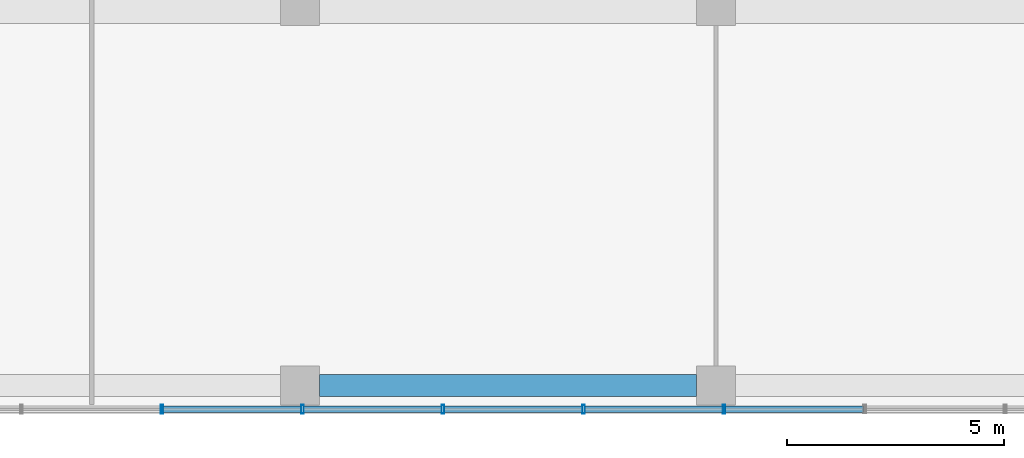
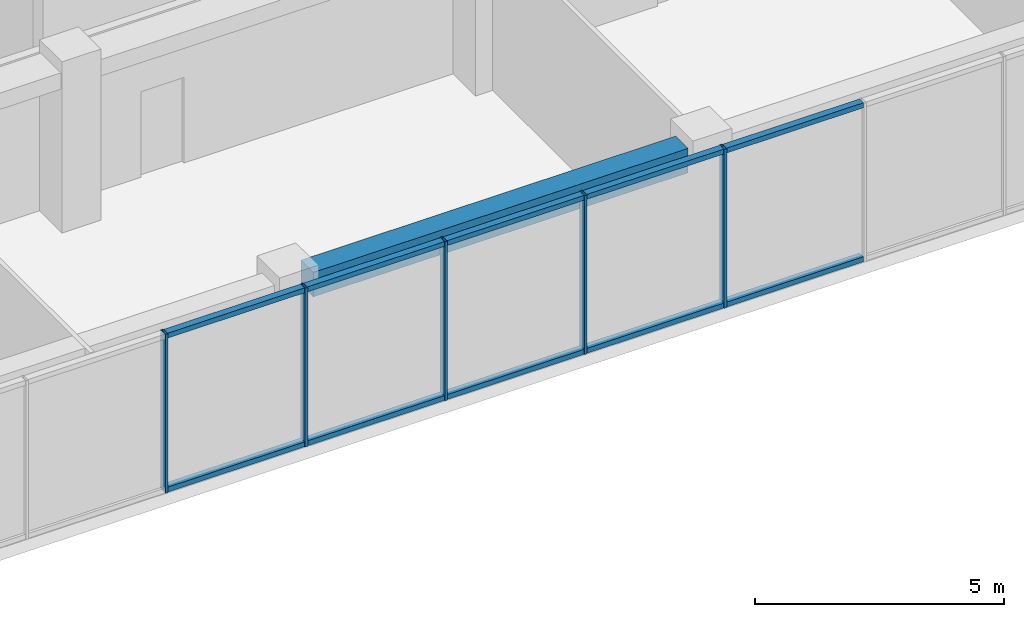
# One storey, part 4 of 38: 15 members, 1 beam, 1 element without a shape of its own.
"""IFC4 building model written with IfcOpenShell, lengths in metres."""

from ifc_helpers import new_model, si_unit, direction, frame, origin, origin_2d, place, context, subcontext, project, spatial, rectangle, hollow_rectangle, extrude, material, layer, layer_set, material_profile, profile_set, type_object, element, aggregate, save


model = new_model("IFC4")

# Units and contexts
model_context = context("Model", 3, precision=1e-05, world=origin(), true_north=direction((0.0, 1.0)))
body_context = subcontext(model_context, "Body", "Model", "MODEL_VIEW")
ifc_project = project(units=[si_unit("LENGTHUNIT", "METRE"), si_unit("AREAUNIT", "SQUARE_METRE"), si_unit("VOLUMEUNIT", "CUBIC_METRE"), si_unit("PLANEANGLEUNIT", "RADIAN"), si_unit("MASSUNIT", "GRAM", prefix="KILO")], contexts=[model_context])

# Site, building, storey
site_placement = place(None, origin())
site = spatial("IfcSite", under=ifc_project, at=site_placement, CompositionType="ELEMENT")
building_placement = place(site_placement, origin())
building = spatial("IfcBuilding", under=site, at=building_placement, Name="Nzadi Deep Aquarium and Research Tower", CompositionType="ELEMENT")
storey_placement = place(building_placement, frame((0.0, 0.0, 52.89990234375)))
storey = spatial("IfcBuildingStorey", under=building, at=storey_placement, Name="L10", CompositionType="ELEMENT", Elevation=52.89990234375)

# Curtain wall, members
ifc_material_1 = material(Name="Aluminium unitised frame", Category="aluminium")
ifc_layer = layer(ifc_material_1, 0.199951171875)
ifc_layer_set = layer_set([ifc_layer], Name="Aluminium unitised frame")
curtain_wall_type = type_object("IfcCurtainWallType", Name="Curtain wall Unitised 200", PredefinedType="NOTDEFINED", material=ifc_layer_set)
curtain_wall_placement = place(storey_placement, origin())
curtain_wall = element("IfcCurtainWall", 1, at=curtain_wall_placement, inside=storey, type_object=curtain_wall_type, Name="Unitised curtain wall blade A south L10", PredefinedType="NOTDEFINED")
ifc_material_2 = material(Name="Aluminium unitised frame", Category="aluminium")
ifc_material_profile_1 = material_profile(ifc_material_2, hollow_rectangle(XDim=0.199951171875, YDim=0.06005859375, WallThickness=0.0048828125, at=origin_2d()))
ifc_profile_set_1 = profile_set([ifc_material_profile_1], Name="Aluminium unitised frame")
member_type_1 = type_object("IfcMemberType", Name="Mullion 60x200 Unitised", PredefinedType="MULLION", material=ifc_profile_set_1)
member_1_placement = place(storey_placement, frame((16.0166015625, -0.10009765625, 0.0), z_axis=(0.0, 0.0, 1.0), x_axis=(0.0, 1.0, 0.0)))
member_1 = element("IfcMember", 2, at=member_1_placement, type_object=member_type_1, Name="CW036 mullion 6", PredefinedType="MULLION", context=body_context, shape_type="SweptSolid", body=[
    extrude(hollow_rectangle(XDim=0.199951171875, YDim=0.06005859375, WallThickness=0.0048828125, at=origin_2d()), origin(), (0.0, 0.0, 1.0), 3.900146484375),
])
member_2_placement = place(storey_placement, frame((19.260009765625, -0.10009765625, 0.0), z_axis=(0.0, 0.0, 1.0), x_axis=(0.0, 1.0, 0.0)))
member_2 = element("IfcMember", 3, at=member_2_placement, type_object=member_type_1, Name="CW036 mullion 7", PredefinedType="MULLION", context=body_context, shape_type="SweptSolid", body=[
    extrude(hollow_rectangle(XDim=0.199951171875, YDim=0.06005859375, WallThickness=0.0048828125, at=origin_2d()), origin(), (0.0, 0.0, 1.0), 3.900146484375),
])
member_3_placement = place(storey_placement, frame((22.50341796875, -0.10009765625, 0.0), z_axis=(0.0, 0.0, 1.0), x_axis=(0.0, 1.0, 0.0)))
member_3 = element("IfcMember", 4, at=member_3_placement, type_object=member_type_1, Name="CW036 mullion 8", PredefinedType="MULLION", context=body_context, shape_type="SweptSolid", body=[
    extrude(hollow_rectangle(XDim=0.199951171875, YDim=0.06005859375, WallThickness=0.0048828125, at=origin_2d()), origin(), (0.0, 0.0, 1.0), 3.900146484375),
])
member_4_placement = place(storey_placement, frame((25.74658203125, -0.10009765625, 0.0), z_axis=(0.0, 0.0, 1.0), x_axis=(0.0, 1.0, 0.0)))
member_4 = element("IfcMember", 5, at=member_4_placement, type_object=member_type_1, Name="CW036 mullion 9", PredefinedType="MULLION", context=body_context, shape_type="SweptSolid", body=[
    extrude(hollow_rectangle(XDim=0.199951171875, YDim=0.06005859375, WallThickness=0.0048828125, at=origin_2d()), origin(), (0.0, 0.0, 1.0), 3.900146484375),
])
member_5_placement = place(storey_placement, frame((28.989990234375, -0.10009765625, 0.0), z_axis=(0.0, 0.0, 1.0), x_axis=(0.0, 1.0, 0.0)))
member_5 = element("IfcMember", 6, at=member_5_placement, type_object=member_type_1, Name="CW036 mullion 10", PredefinedType="MULLION", context=body_context, shape_type="SweptSolid", body=[
    extrude(hollow_rectangle(XDim=0.199951171875, YDim=0.06005859375, WallThickness=0.0048828125, at=origin_2d()), origin(), (0.0, 0.0, 1.0), 3.900146484375),
])

# Beam
ifc_material_3 = material(Name="Concrete C35/45", Category="concrete")
ifc_material_profile_2 = material_profile(ifc_material_3, rectangle(XDim=0.5, YDim=0.60009765625, at=origin_2d()))
ifc_profile_set_2 = profile_set([ifc_material_profile_2], Name="Concrete C35/45")
beam_type = type_object("IfcBeamType", Name="RC 500x600", PredefinedType="BEAM", material=ifc_profile_set_2)
beam_placement = place(storey_placement, frame((19.64990234375, 0.449951171875, 3.60009765625), z_axis=(1.0, 0.0, 0.0), x_axis=(0.0, 1.0, 0.0)))
element("IfcBeam", 7, at=beam_placement, inside=storey, type_object=beam_type, Name="B-Z1-L10-L1-3", PredefinedType="BEAM", context=body_context, shape_type="SweptSolid", body=[
    extrude(rectangle(XDim=0.5, YDim=0.60009765625, at=origin_2d()), origin(), (0.0, 0.0, 1.0), 8.7001953125),
])

# Member
ifc_material_4 = material(Name="Aluminium unitised frame", Category="aluminium")
ifc_material_profile_3 = material_profile(ifc_material_4, hollow_rectangle(XDim=0.159912109375, YDim=0.1201171875, WallThickness=0.0048828125, at=origin_2d()))
ifc_profile_set_3 = profile_set([ifc_material_profile_3], Name="Aluminium unitised frame")
member_type_2 = type_object("IfcMemberType", Name="Transom 120x160 Unitised", PredefinedType="MULLION", material=ifc_profile_set_3)
member_6_placement = place(storey_placement, frame((16.046630859375, -0.10009765625, 0.06005859375), z_axis=(1.0, 0.0, 0.0), x_axis=(0.0, 1.0, 0.0)))
member_6 = element("IfcMember", 8, at=member_6_placement, type_object=member_type_2, Name="CW036 transom 6.1", PredefinedType="MULLION", context=body_context, shape_type="SweptSolid", body=[
    extrude(hollow_rectangle(XDim=0.159912109375, YDim=0.1201171875, WallThickness=0.0048828125, at=origin_2d()), origin(), (0.0, 0.0, 1.0), 3.183349609375),
])

member_7_placement = place(storey_placement, frame((16.046630859375, -0.10009765625, 3.840087890625), z_axis=(1.0, 0.0, 0.0), x_axis=(0.0, 1.0, 0.0)))
member_7 = element("IfcMember", 9, at=member_7_placement, type_object=member_type_2, Name="CW036 transom 6.2", PredefinedType="MULLION", context=body_context, shape_type="SweptSolid", body=[
    extrude(hollow_rectangle(XDim=0.159912109375, YDim=0.1201171875, WallThickness=0.0048828125, at=origin_2d()), origin(), (0.0, 0.0, 1.0), 3.183349609375),
])

member_8_placement = place(storey_placement, frame((19.2900390625, -0.10009765625, 0.06005859375), z_axis=(1.0, 0.0, 0.0), x_axis=(0.0, 1.0, 0.0)))
member_8 = element("IfcMember", 10, at=member_8_placement, type_object=member_type_2, Name="CW036 transom 7.1", PredefinedType="MULLION", context=body_context, shape_type="SweptSolid", body=[
    extrude(hollow_rectangle(XDim=0.159912109375, YDim=0.1201171875, WallThickness=0.0048828125, at=origin_2d()), origin(), (0.0, 0.0, 1.0), 3.183349609375),
])

member_9_placement = place(storey_placement, frame((19.2900390625, -0.10009765625, 3.840087890625), z_axis=(1.0, 0.0, 0.0), x_axis=(0.0, 1.0, 0.0)))
member_9 = element("IfcMember", 11, at=member_9_placement, type_object=member_type_2, Name="CW036 transom 7.2", PredefinedType="MULLION", context=body_context, shape_type="SweptSolid", body=[
    extrude(hollow_rectangle(XDim=0.159912109375, YDim=0.1201171875, WallThickness=0.0048828125, at=origin_2d()), origin(), (0.0, 0.0, 1.0), 3.183349609375),
])

member_10_placement = place(storey_placement, frame((22.533447265625, -0.10009765625, 0.06005859375), z_axis=(1.0, 0.0, 0.0), x_axis=(0.0, 1.0, 0.0)))
member_10 = element("IfcMember", 12, at=member_10_placement, type_object=member_type_2, Name="CW036 transom 8.1", PredefinedType="MULLION", context=body_context, shape_type="SweptSolid", body=[
    extrude(hollow_rectangle(XDim=0.159912109375, YDim=0.1201171875, WallThickness=0.0048828125, at=origin_2d()), origin(), (0.0, 0.0, 1.0), 3.18310546875),
])

member_11_placement = place(storey_placement, frame((22.533447265625, -0.10009765625, 3.840087890625), z_axis=(1.0, 0.0, 0.0), x_axis=(0.0, 1.0, 0.0)))
member_11 = element("IfcMember", 13, at=member_11_placement, type_object=member_type_2, Name="CW036 transom 8.2", PredefinedType="MULLION", context=body_context, shape_type="SweptSolid", body=[
    extrude(hollow_rectangle(XDim=0.159912109375, YDim=0.1201171875, WallThickness=0.0048828125, at=origin_2d()), origin(), (0.0, 0.0, 1.0), 3.18310546875),
])

member_12_placement = place(storey_placement, frame((25.776611328125, -0.10009765625, 0.06005859375), z_axis=(1.0, 0.0, 0.0), x_axis=(0.0, 1.0, 0.0)))
member_12 = element("IfcMember", 14, at=member_12_placement, type_object=member_type_2, Name="CW036 transom 9.1", PredefinedType="MULLION", context=body_context, shape_type="SweptSolid", body=[
    extrude(hollow_rectangle(XDim=0.159912109375, YDim=0.1201171875, WallThickness=0.0048828125, at=origin_2d()), origin(), (0.0, 0.0, 1.0), 3.183349609375),
])

member_13_placement = place(storey_placement, frame((25.776611328125, -0.10009765625, 3.840087890625), z_axis=(1.0, 0.0, 0.0), x_axis=(0.0, 1.0, 0.0)))
member_13 = element("IfcMember", 15, at=member_13_placement, type_object=member_type_2, Name="CW036 transom 9.2", PredefinedType="MULLION", context=body_context, shape_type="SweptSolid", body=[
    extrude(hollow_rectangle(XDim=0.159912109375, YDim=0.1201171875, WallThickness=0.0048828125, at=origin_2d()), origin(), (0.0, 0.0, 1.0), 3.183349609375),
])

member_14_placement = place(storey_placement, frame((29.02001953125, -0.10009765625, 0.06005859375), z_axis=(1.0, 0.0, 0.0), x_axis=(0.0, 1.0, 0.0)))
member_14 = element("IfcMember", 16, at=member_14_placement, type_object=member_type_2, Name="CW036 transom 10.1", PredefinedType="MULLION", context=body_context, shape_type="SweptSolid", body=[
    extrude(hollow_rectangle(XDim=0.159912109375, YDim=0.1201171875, WallThickness=0.0048828125, at=origin_2d()), origin(), (0.0, 0.0, 1.0), 3.183349609375),
])

member_15_placement = place(storey_placement, frame((29.02001953125, -0.10009765625, 3.840087890625), z_axis=(1.0, 0.0, 0.0), x_axis=(0.0, 1.0, 0.0)))
member_15 = element("IfcMember", 17, at=member_15_placement, type_object=member_type_2, Name="CW036 transom 10.2", PredefinedType="MULLION", context=body_context, shape_type="SweptSolid", body=[
    extrude(hollow_rectangle(XDim=0.159912109375, YDim=0.1201171875, WallThickness=0.0048828125, at=origin_2d()), origin(), (0.0, 0.0, 1.0), 3.183349609375),
])

aggregate(curtain_wall, [member_1, member_2, member_3, member_4, member_5, member_6, member_7, member_8, member_9, member_10, member_11, member_12, member_13, member_14, member_15])

save(model, "model.ifc")
